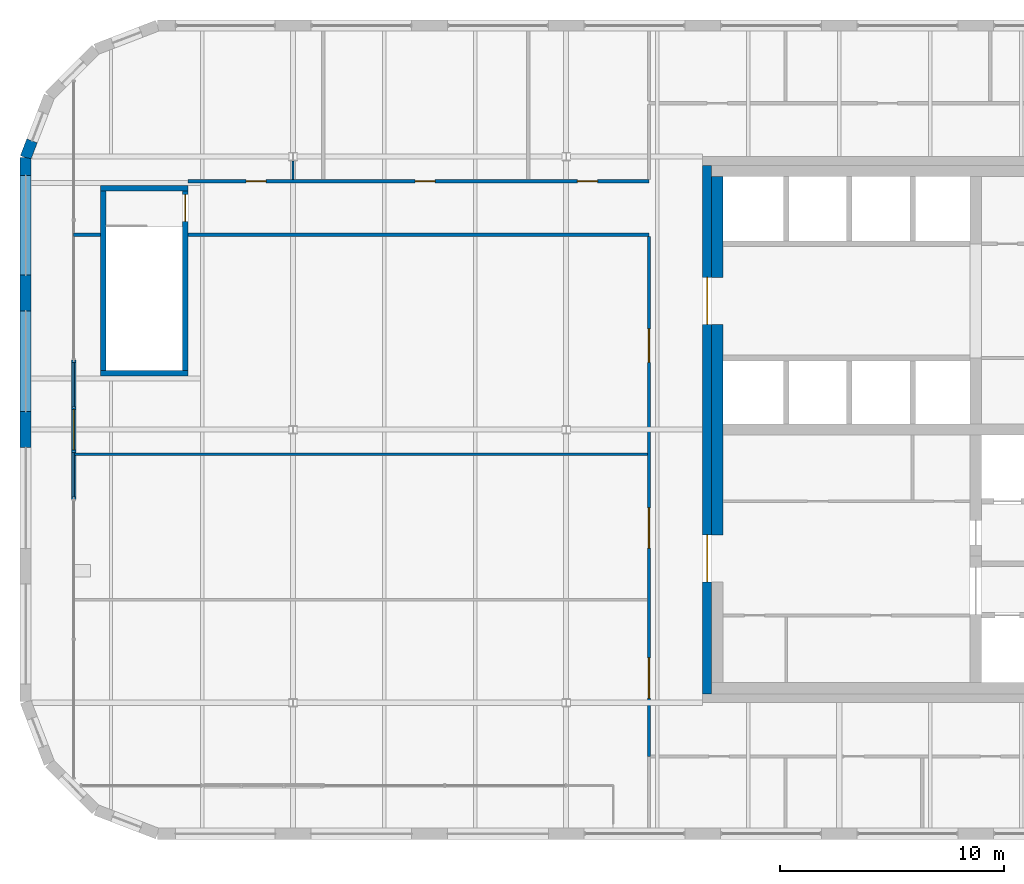
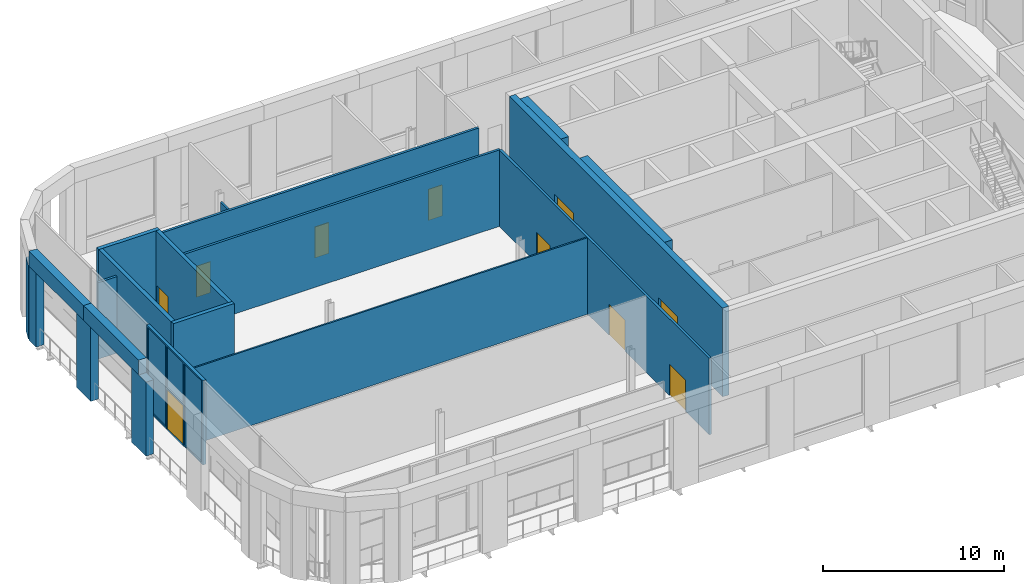
# One storey, part 12 of 19: 20 walls, 10 doors, 3 plates, 13 openings.
"""IFC4 building model written with IfcOpenShell, lengths in metres."""

import ifcopenshell
import ifcopenshell.guid

model = None  # the IFC model being written
_history = None  # IfcOwnerHistory: only IFC2X3 demands one
_inside = {}  # id of a spatial element -> (the spatial element, [elements in it])
_under = {}  # id of a project, library or spatial element -> (it, [spatial elements below it])
_declared = {}  # id of a project -> (the project, [libraries it declares])
_typed = {}  # id of a type object -> (the type object, [elements of that type])
_made_of = {}  # id of a material, layer set ... -> (it, [elements and type objects made of it])


def new_model(schema):
    """Start an empty IFC model of exactly this schema.

    Asked for "IFC4X3", IfcOpenShell would pick the latest addendum, in which some entities
    have other attributes; the version numbers below select the first issue.
    IFC2X3 requires an IfcOwnerHistory on every rooted entity: one is made here for all.
    """
    global model, _history
    if schema == "IFC4X3":
        model = ifcopenshell.file(schema_version=(4, 3, 0, 0))
    else:
        model = ifcopenshell.file(schema=schema)
    _inside.clear()
    _under.clear()
    _declared.clear()
    _typed.clear()
    _made_of.clear()
    _history = None
    if model.schema == "IFC2X3":
        org = make("IfcOrganization", Name="unknown")
        user = make(
            "IfcPersonAndOrganization",
            ThePerson=make("IfcPerson", FamilyName="unknown"),
            TheOrganization=org,
        )
        app = make(
            "IfcApplication",
            ApplicationDeveloper=org,
            Version="unknown",
            ApplicationFullName="unknown",
            ApplicationIdentifier="unknown",
        )
        _history = make(
            "IfcOwnerHistory",
            OwningUser=user,
            OwningApplication=app,
            ChangeAction="ADDED",
            CreationDate=0,
        )
    return model


def make(cls, **values):
    """One entity of the class cls with the attributes given. An attribute that is None is left unset."""
    return model.create_entity(
        cls, **{name: value for name, value in values.items() if value is not None}
    )


def rooted(cls, **values):
    """An entity with a GlobalId (a new one), such as an element, a storey or a relation."""
    return make(cls, GlobalId=ifcopenshell.guid.new(), OwnerHistory=_history, **values)


def si_unit(unit_type, name, prefix=None):
    """IfcSIUnit, for example si_unit("LENGTHUNIT", "METRE", prefix="MILLI")."""
    return make("IfcSIUnit", UnitType=unit_type, Prefix=prefix, Name=name)


def assignment(units):
    """IfcUnitAssignment: the units of a project."""
    return None if units is None else make("IfcUnitAssignment", Units=units)


def point(xyz):
    """IfcCartesianPoint."""
    return None if xyz is None else make("IfcCartesianPoint", Coordinates=xyz)


def direction(xyz):
    """IfcDirection."""
    return None if xyz is None else make("IfcDirection", DirectionRatios=xyz)


def frame(location, z_axis=None, x_axis=None):
    """IfcAxis2Placement3D, a coordinate frame: its origin and axes. An axis left out is left unset."""
    return make(
        "IfcAxis2Placement3D",
        Location=point(location),
        Axis=direction(z_axis),
        RefDirection=direction(x_axis),
    )


def frame_2d(location, x_axis=None):
    """IfcAxis2Placement2D, a coordinate frame in the plane: its origin and x axis."""
    return make(
        "IfcAxis2Placement2D", Location=point(location), RefDirection=direction(x_axis)
    )


def origin():
    """The frame at (0, 0, 0) with its axes left unset."""
    return frame((0.0, 0.0, 0.0))


def place(relative_to, where):
    """IfcLocalPlacement: puts the frame where relative to a parent placement (None: the world)."""
    return make(
        "IfcLocalPlacement", PlacementRelTo=relative_to, RelativePlacement=where
    )


def context(
    kind, dimensions, precision=None, world=None, true_north=None, identifier=None
):
    """IfcGeometricRepresentationContext, for example the 3D "Model" context."""
    return make(
        "IfcGeometricRepresentationContext",
        ContextIdentifier=identifier,
        ContextType=kind,
        CoordinateSpaceDimension=dimensions,
        Precision=precision,
        WorldCoordinateSystem=world,
        TrueNorth=true_north,
    )


def subcontext(parent, identifier, kind, view, scale=None):
    """IfcGeometricRepresentationSubContext, for example "Body" below "Model"."""
    return make(
        "IfcGeometricRepresentationSubContext",
        ContextIdentifier=identifier,
        ContextType=kind,
        ParentContext=parent,
        TargetScale=scale,
        TargetView=view,
    )


def project(units=None, contexts=None):
    """IfcProject with its units and contexts."""
    return rooted(
        "IfcProject",
        Name="project",
        RepresentationContexts=contexts,
        UnitsInContext=assignment(units),
    )


def spatial(cls, under=None, at=None, **own):
    """A site, building, storey or space (cls), placed at a placement, below another one or the project."""
    s = rooted(cls, ObjectPlacement=at, **own)
    if under is not None:
        _under.setdefault(under.id(), (under, []))[1].append(s)
    return s


def polyline(points):
    """IfcPolyline through the points."""
    return make("IfcPolyline", Points=[point(p) for p in points])


def profile(cls, at=None, kind="AREA", **sizes):
    """A parametric profile (cls). Its sizes go by their IFC names, for example OverallWidth=200.0."""
    return make(cls, ProfileType=kind, Position=at, **sizes)


def rectangle(**sizes):
    """IfcRectangleProfileDef."""
    return profile("IfcRectangleProfileDef", **sizes)


def outline(outer, holes=None, kind="AREA"):
    """IfcArbitraryClosedProfileDef: a profile drawn as a closed curve; with holes, ...WithVoids."""
    if holes is None:
        return make("IfcArbitraryClosedProfileDef", ProfileType=kind, OuterCurve=outer)
    return make(
        "IfcArbitraryProfileDefWithVoids",
        ProfileType=kind,
        OuterCurve=outer,
        InnerCurves=holes,
    )


def extrude(swept, where, along, depth):
    """IfcExtrudedAreaSolid: the profile swept, set in the frame where, extruded along a direction by depth."""
    return make(
        "IfcExtrudedAreaSolid",
        SweptArea=swept,
        Position=where,
        ExtrudedDirection=direction(along),
        Depth=depth,
    )


def faces_of(points, faces, orient=None, outer=None):
    """IfcFace entities. A face is a list of loops; a loop is a list of indices into points, from 0.

    orient and outer hold one flag for each loop. By default every Orientation is true, the
    first loop of a face is its IfcFaceOuterBound and the others are IfcFaceBound.
    """
    made = []
    for i, loops in enumerate(faces):
        bounds = []
        for j, loop in enumerate(loops):
            is_outer = j == 0 if outer is None else outer[i][j]
            bounds.append(
                make(
                    "IfcFaceOuterBound" if is_outer else "IfcFaceBound",
                    Bound=make("IfcPolyLoop", Polygon=[points[k] for k in loop]),
                    Orientation=True if orient is None else orient[i][j],
                )
            )
        made.append(make("IfcFace", Bounds=bounds))
    return made


def faceted_brep(points, faces, orient=None, outer=None, voids=None):
    """IfcFacetedBrep: a solid bounded by flat faces; with voids (closed shells), ...WithVoids."""
    shared = [point(p) for p in points]
    hull = make("IfcClosedShell", CfsFaces=faces_of(shared, faces, orient, outer))
    if voids is None:
        return make("IfcFacetedBrep", Outer=hull)
    return make(
        "IfcFacetedBrepWithVoids",
        Outer=hull,
        Voids=[
            make(cls, CfsFaces=faces_of(shared, fs, o, b)) for cls, fs, o, b in voids
        ],
    )


def shape(context_of_items, identifier, shape_type, items):
    """IfcShapeRepresentation: the items that make up one representation, for example the "Body"."""
    return make(
        "IfcShapeRepresentation",
        ContextOfItems=context_of_items,
        RepresentationIdentifier=identifier,
        RepresentationType=shape_type,
        Items=items,
    )


def source(mapping_origin, context_of_items, identifier, shape_type, items):
    """IfcRepresentationMap: a shape defined once, which mapped items show again and again."""
    return make(
        "IfcRepresentationMap",
        MappingOrigin=mapping_origin,
        MappedRepresentation=shape(context_of_items, identifier, shape_type, items),
    )


def transform(
    local_origin,
    x_axis=None,
    y_axis=None,
    z_axis=None,
    scale=None,
    scale2=None,
    scale3=None,
    uniform=True,
):
    """IfcCartesianTransformationOperator3D, or its non-uniform kind. x_axis, y_axis, z_axis: its Axis1, 2, 3."""
    if uniform:
        return make(
            "IfcCartesianTransformationOperator3D",
            Axis1=direction(x_axis),
            Axis2=direction(y_axis),
            LocalOrigin=point(local_origin),
            Scale=scale,
            Axis3=direction(z_axis),
        )
    return make(
        "IfcCartesianTransformationOperator3DnonUniform",
        Axis1=direction(x_axis),
        Axis2=direction(y_axis),
        LocalOrigin=point(local_origin),
        Scale=scale,
        Axis3=direction(z_axis),
        Scale2=scale2,
        Scale3=scale3,
    )


def mapped(mapping_source, mapping_target):
    """IfcMappedItem: shows the shape of a source again, moved by a transform."""
    return make(
        "IfcMappedItem", MappingSource=mapping_source, MappingTarget=mapping_target
    )


def material(Name=None, Category=None):
    """IfcMaterial."""
    return make("IfcMaterial", Name=Name, Category=Category)


def layer(
    of_material, thickness, ventilated=None, Name=None, Category=None, Priority=None
):
    """IfcMaterialLayer: one layer of a wall or slab, of a material (None: an air gap)."""
    return make(
        "IfcMaterialLayer",
        Material=of_material,
        LayerThickness=thickness,
        IsVentilated=ventilated,
        Name=Name,
        Category=Category,
        Priority=Priority,
    )


def layer_set(layers, Name=None):
    """IfcMaterialLayerSet."""
    return make("IfcMaterialLayerSet", MaterialLayers=layers, LayerSetName=Name)


def made_of(thing, what):
    """Note that an element or type object is made of a material, layer set ...; save() writes the relation."""
    if what is not None:
        _made_of.setdefault(what.id(), (what, []))[1].append(thing)
    return thing


def type_object(cls, material=None, **own):
    """A type object (cls), such as IfcWallType, which elements share."""
    return made_of(rooted(cls, **own), material)


def element(
    cls,
    number,
    at=None,
    inside=None,
    cuts=None,
    type_object=None,
    material=None,
    context=None,
    identifier="Body",
    shape_type=None,
    held_by="IfcProductDefinitionShape",
    body=None,
    shapes=None,
    **own,
):
    """One element of the class cls, such as IfcWall. Its Tag is "e" and its number.

    at: its placement. inside: the storey or other place that contains it. cuts: it is an
    opening in that element (IfcRelVoidsElement). A single representation is given by context,
    identifier, shape_type and body (its items); several are given by shapes. held_by: the class
    of the entity that holds the representations. save() writes the other relations.
    """
    e = rooted(cls, Tag="e%d" % number, ObjectPlacement=at, **own)
    if body is not None:
        shapes = [shape(context, identifier, shape_type, body)]
    if shapes is not None:
        e.Representation = make(held_by, Representations=shapes)
    if inside is not None:
        _inside.setdefault(inside.id(), (inside, []))[1].append(e)
    if cuts is not None:
        rooted(
            "IfcRelVoidsElement", RelatingBuildingElement=cuts, RelatedOpeningElement=e
        )
    if type_object is not None:
        _typed.setdefault(type_object.id(), (type_object, []))[1].append(e)
    return made_of(e, material)


def fill(opening, filler):
    """IfcRelFillsElement: the door or window that sits in an opening."""
    return rooted(
        "IfcRelFillsElement",
        RelatingOpeningElement=opening,
        RelatedBuildingElement=filler,
    )


def aggregate(whole, parts):
    """IfcRelAggregates: a whole, such as a stair, and the parts it consists of."""
    return rooted("IfcRelAggregates", RelatingObject=whole, RelatedObjects=parts)


def save(model, path):
    """Write the relations noted so far, then the file.

    IfcRelAggregates (storeys below a building ...), IfcRelContainedInSpatialStructure (elements
    in a storey), IfcRelDefinesByType, IfcRelAssociatesMaterial and IfcRelDeclares: one each for
    every whole, place, type object, material and project.
    """
    for whole, parts in _under.values():
        aggregate(whole, parts)
    for where, things in _inside.values():
        rooted(
            "IfcRelContainedInSpatialStructure",
            RelatedElements=things,
            RelatingStructure=where,
        )
    for kind, things in _typed.values():
        rooted("IfcRelDefinesByType", RelatedObjects=things, RelatingType=kind)
    for what, things in _made_of.values():
        rooted("IfcRelAssociatesMaterial", RelatedObjects=things, RelatingMaterial=what)
    for by, libraries in _declared.values():
        rooted("IfcRelDeclares", RelatingContext=by, RelatedDefinitions=libraries)
    model.write(path)


model = new_model("IFC4")

# Units and contexts
model_context = context("Model", 3, precision=1e-05, world=origin(), true_north=direction((0.0, 1.0)))
body_context = subcontext(model_context, "Body", "Model", "MODEL_VIEW")
ifc_project = project(units=[si_unit("LENGTHUNIT", "METRE"), si_unit("AREAUNIT", "SQUARE_METRE"), si_unit("VOLUMEUNIT", "CUBIC_METRE"), si_unit("PLANEANGLEUNIT", "RADIAN"), si_unit("MASSUNIT", "GRAM", prefix="KILO")], contexts=[model_context])

# Site, building, storey
site_placement = place(None, origin())
site = spatial("IfcSite", under=ifc_project, at=site_placement, CompositionType="ELEMENT")
building_placement = place(site_placement, origin())
building = spatial("IfcBuilding", under=site, at=building_placement, Name="Tessera Gate Towers", CompositionType="ELEMENT")
storey_placement = place(building_placement, frame((0.0, 0.0, 259.699951171875)))
storey = spatial("IfcBuildingStorey", under=building, at=storey_placement, Name="L65", CompositionType="ELEMENT", Elevation=259.699951171875)

# Walls
ifc_material_1 = material(Name="Concrete C40/50", Category="concrete")
ifc_layer_1 = layer(ifc_material_1, 0.25)
ifc_layer_set_1 = layer_set([ifc_layer_1], Name="CORE ENCLOSURE WALL 250")
wall_type_1 = type_object("IfcWallType", Name="CORE ENCLOSURE WALL 250", PredefinedType="SOLIDWALL", material=ifc_layer_set_1)
wall_1_placement = place(storey_placement, frame((7.5, 39.125, 0.0), z_axis=(0.0, 0.0, 1.0), x_axis=(-1.0, 0.0, 0.0)))
element("IfcWall", 1, at=wall_1_placement, inside=storey, type_object=wall_type_1, Name="L65 ST3 enclosure wall", PredefinedType="SOLIDWALL", context=body_context, shape_type="SweptSolid", body=[
    extrude(rectangle(XDim=3.89990234375, YDim=0.25, at=frame_2d((1.949951171875, 0.0))), origin(), (0.0, 0.0, 1.0), 5.75),
])
wall_2_placement = place(storey_placement, frame((3.72509765625, 39.25, 0.0), z_axis=(0.0, 0.0, 1.0), x_axis=(0.0, 1.0, 0.0)))
element("IfcWall", 2, at=wall_2_placement, inside=storey, type_object=wall_type_1, Name="L65 ST3 enclosure wall", PredefinedType="SOLIDWALL", context=body_context, shape_type="SweptSolid", body=[
    extrude(rectangle(XDim=8.0, YDim=0.25, at=frame_2d((4.0, 0.0))), origin(), (0.0, 0.0, 1.0), 5.75),
])
wall_3_placement = place(storey_placement, frame((3.60009765625, 47.375, 0.0), z_axis=(0.0, 0.0, 1.0), x_axis=(1.0, 0.0, 0.0)))
element("IfcWall", 3, at=wall_3_placement, inside=storey, type_object=wall_type_1, Name="L65 ST3 enclosure wall", PredefinedType="SOLIDWALL", context=body_context, shape_type="SweptSolid", body=[
    extrude(rectangle(XDim=3.89990234375, YDim=0.25, at=frame_2d((1.949951171875, 0.0))), origin(), (0.0, 0.0, 1.0), 5.75),
])

# Wall, opening, door
wall_4_placement = place(storey_placement, frame((7.375, 47.25, 0.0), z_axis=(0.0, 0.0, 1.0), x_axis=(0.0, -1.0, 0.0)))
wall_4 = element("IfcWall", 4, at=wall_4_placement, inside=storey, type_object=wall_type_1, Name="L65 ST3 enclosure wall", PredefinedType="SOLIDWALL", context=body_context, shape_type="SweptSolid", body=[
    extrude(rectangle(XDim=8.0, YDim=0.25, at=frame_2d((4.0, 0.0))), origin(), (0.0, 0.0, 1.0), 5.75),
])
shared_shape_1 = source(origin(), body_context, "Body", "SweptSolid", [
    extrude(rectangle(XDim=1.199951171875, YDim=2.10009765625, at=frame_2d((0.60009765625, 1.050048828125))), frame((0.0, 0.135009765625, 0.0), z_axis=(0.0, -1.0, 0.0), x_axis=(1.0, 0.0, 0.0)), (0.0, 0.0, 1.0), 0.27001953125),
])
opening_1_placement = place(wall_4_placement, frame((0.14990234375, 0.0, 0.0)))
opening_1 = element("IfcOpeningElement", 5, at=opening_1_placement, cuts=wall_4, Name="Opening SD-ST3-1", PredefinedType="OPENING", context=body_context, shape_type="MappedRepresentation", body=[
    mapped(shared_shape_1, transform((0.0, 0.0, 0.0), scale=1.0)),
])
ifc_material_2 = material(Name="Hollow steel fire door", Category="steel")
door_type_1 = type_object("IfcDoorType", Name="CORE DOOR SD 1200x2100", OperationType="NOTDEFINED", PredefinedType="DOOR", material=ifc_material_2)
shared_shape_2 = source(origin(), body_context, "Body", "SweptSolid", [
    extrude(rectangle(XDim=1.199951171875, YDim=2.10009765625, at=frame_2d((0.60009765625, 1.050048828125))), frame((0.0, 0.02490234375, 0.0), z_axis=(0.0, -1.0, 0.0), x_axis=(1.0, 0.0, 0.0)), (0.0, 0.0, 1.0), 0.050048828125),
])
door_1_placement = place(opening_1_placement, origin())
door_1 = element("IfcDoor", 6, at=door_1_placement, inside=storey, type_object=door_type_1, Name="Stair door", OperationType="SINGLE_SWING_LEFT", OverallHeight=2.10009765625, OverallWidth=1.199951171875, PredefinedType="DOOR", context=body_context, shape_type="MappedRepresentation", body=[
    mapped(shared_shape_2, transform((0.0, 0.0, 0.0), scale=1.0)),
])
fill(opening_1, door_1)

# Wall, openings, doors
ifc_material_3 = material(Name="Concrete C40/50", Category="concrete")
ifc_layer_2 = layer(ifc_material_3, 0.39990234375)
ifc_layer_set_2 = layer_set([ifc_layer_2], Name="CORE SHEAR WALL 400 C40/50")
wall_type_2 = type_object("IfcWallType", Name="CORE SHEAR WALL 400 C40/50", PredefinedType="SHEAR", material=ifc_layer_set_2)
wall_5_placement = place(storey_placement, frame((30.699951171875, 24.800048828125, 0.0), z_axis=(0.0, 0.0, 1.0), x_axis=(0.0, 1.0, 0.0)))
wall_5 = element("IfcWall", 7, at=wall_5_placement, inside=storey, type_object=wall_type_2, Name="Core wall W L65", PredefinedType="SHEAR", context=body_context, shape_type="SweptSolid", body=[
    extrude(rectangle(XDim=23.599853515625, YDim=0.39990234375, at=frame_2d((11.7998046875, 0.0))), origin(), (0.0, 0.0, 1.0), 6.0),
])
shared_shape_3 = source(origin(), body_context, "Body", "SweptSolid", [
    extrude(rectangle(XDim=2.10009765625, YDim=2.39990234375, at=frame_2d((1.050048828125, 1.199951171875))), frame((0.0, 0.2099609375, 0.0), z_axis=(0.0, -1.0, 0.0), x_axis=(1.0, 0.0, 0.0)), (0.0, 0.0, 1.0), 0.419921875),
])
opening_2_placement = place(wall_5_placement, frame((5.0, 0.0, 0.0)))
opening_2 = element("IfcOpeningElement", 8, at=opening_2_placement, cuts=wall_5, Name="Opening DD-T1-39-02", PredefinedType="OPENING", context=body_context, shape_type="MappedRepresentation", body=[
    mapped(shared_shape_3, transform((0.0, 0.0, 0.0), scale=1.0)),
])
opening_3_placement = place(wall_5_placement, frame((16.5, 0.0, 0.0)))
opening_3 = element("IfcOpeningElement", 9, at=opening_3_placement, cuts=wall_5, Name="Opening DD-T1-39-03", PredefinedType="OPENING", context=body_context, shape_type="MappedRepresentation", body=[
    mapped(shared_shape_3, transform((0.0, 0.0, 0.0), scale=1.0)),
])
ifc_material_4 = material(Name="Hollow steel fire door", Category="steel")
door_type_2 = type_object("IfcDoorType", Name="CORE DOOR DD 2100x2400", OperationType="NOTDEFINED", PredefinedType="DOOR", material=ifc_material_4)
shared_shape_4 = source(origin(), body_context, "Body", "SweptSolid", [
    extrude(rectangle(XDim=2.10009765625, YDim=2.39990234375, at=frame_2d((1.050048828125, 1.199951171875))), frame((0.0, 0.02490234375, 0.0), z_axis=(0.0, -1.0, 0.0), x_axis=(1.0, 0.0, 0.0)), (0.0, 0.0, 1.0), 0.050048828125),
])
door_2_placement = place(opening_2_placement, origin())
door_2 = element("IfcDoor", 10, at=door_2_placement, inside=storey, type_object=door_type_2, Name="Core entrance door", OperationType="DOUBLE_DOOR_SINGLE_SWING", OverallHeight=2.39990234375, OverallWidth=2.10009765625, PredefinedType="DOOR", context=body_context, shape_type="MappedRepresentation", body=[
    mapped(shared_shape_4, transform((0.0, 0.0, 0.0), scale=1.0)),
])
fill(opening_2, door_2)
door_3_placement = place(opening_3_placement, origin())
door_3 = element("IfcDoor", 11, at=door_3_placement, inside=storey, type_object=door_type_2, Name="Core entrance door", OperationType="DOUBLE_DOOR_SINGLE_SWING", OverallHeight=2.39990234375, OverallWidth=2.10009765625, PredefinedType="DOOR", context=body_context, shape_type="MappedRepresentation", body=[
    mapped(shared_shape_4, transform((0.0, 0.0, 0.0), scale=1.0)),
])
fill(opening_3, door_3)

# Walls
ifc_material_5 = material(Name="Concrete C40/50", Category="concrete")
ifc_layer_3 = layer(ifc_material_5, 0.5)
ifc_layer_set_3 = layer_set([ifc_layer_3], Name="CORE WALL THICKENING 500")
wall_type_3 = type_object("IfcWallType", Name="CORE WALL THICKENING 500", PredefinedType="SOLIDWALL", material=ifc_layer_set_3)
wall_6_placement = place(storey_placement, frame((31.14990234375, 31.89990234375, 0.0), z_axis=(0.0, 0.0, 1.0), x_axis=(0.0, 1.0, 0.0)))
element("IfcWall", 12, at=wall_6_placement, inside=storey, type_object=wall_type_3, Name="Core wall thickening W L65", PredefinedType="SOLIDWALL", context=body_context, shape_type="SweptSolid", body=[
    extrude(rectangle(XDim=9.400146484375, YDim=0.5, at=frame_2d((4.7001953125, 0.0))), origin(), (0.0, 0.0, 1.0), 6.0),
])
wall_7_placement = place(storey_placement, frame((31.14990234375, 43.39990234375, 0.0), z_axis=(0.0, 0.0, 1.0), x_axis=(0.0, 1.0, 0.0)))
element("IfcWall", 13, at=wall_7_placement, inside=storey, type_object=wall_type_3, Name="Core wall thickening W L65", PredefinedType="SOLIDWALL", context=body_context, shape_type="SweptSolid", body=[
    extrude(rectangle(XDim=4.5, YDim=0.5, at=frame_2d((2.25, 0.0))), origin(), (0.0, 0.0, 1.0), 6.0),
])

# Wall, openings, doors
ifc_material_6 = material(Name="Gypsum board on steel studs, mineral wool", Category="steel")
ifc_layer_4 = layer(ifc_material_6, 0.14990234375)
ifc_layer_set_4 = layer_set([ifc_layer_4], Name="CORRIDOR WALL 150")
wall_type_4 = type_object("IfcWallType", Name="CORRIDOR WALL 150", PredefinedType="PARTITIONING", material=ifc_layer_set_4)
wall_8_placement = place(storey_placement, frame((28.10009765625, 22.0, 0.0), z_axis=(0.0, 0.0, 1.0), x_axis=(0.0, 1.0, 0.0)))
wall_8 = element("IfcWall", 14, at=wall_8_placement, inside=storey, type_object=wall_type_4, Name="T1-L65-PW-006", PredefinedType="PARTITIONING", context=body_context, shape_type="SweptSolid", body=[
    extrude(rectangle(XDim=23.22412109375, YDim=0.14990234375, at=frame_2d((11.612060546875, 0.0))), origin(), (0.0, 0.0, 1.0), 5.1669921875),
])
shared_shape_5 = source(origin(), body_context, "Body", "SweptSolid", [
    extrude(rectangle(XDim=1.800048828125, YDim=2.10009765625, at=frame_2d((0.89990234375, 1.050048828125))), frame((0.0, 0.0849609375, 0.0), z_axis=(0.0, -1.0, 0.0), x_axis=(1.0, 0.0, 0.0)), (0.0, 0.0, 1.0), 0.169921875),
])
opening_4_placement = place(wall_8_placement, frame((9.301025390625, 0.0, 0.0)))
opening_4 = element("IfcOpeningElement", 15, at=opening_4_placement, cuts=wall_8, Name="Opening D2180FD60-A34-01", PredefinedType="OPENING", context=body_context, shape_type="MappedRepresentation", body=[
    mapped(shared_shape_5, transform((0.0, 0.0, 0.0), scale=1.0)),
])
opening_5_placement = place(wall_8_placement, frame((2.60009765625, 0.0, 0.0)))
opening_5 = element("IfcOpeningElement", 16, at=opening_5_placement, cuts=wall_8, Name="Opening D2180FD60-A34-02", PredefinedType="OPENING", context=body_context, shape_type="MappedRepresentation", body=[
    mapped(shared_shape_5, transform((0.0, 0.0, 0.0), scale=1.0)),
])
shared_shape_6 = source(origin(), body_context, "Body", "SweptSolid", [
    extrude(rectangle(XDim=1.5, YDim=2.10009765625, at=frame_2d((0.75, 1.050048828125))), frame((0.0, 0.0849609375, 0.0), z_axis=(0.0, -1.0, 0.0), x_axis=(1.0, 0.0, 0.0)), (0.0, 0.0, 1.0), 0.169921875),
])
opening_6_placement = place(wall_8_placement, frame((17.60009765625, 0.0, 0.0)))
opening_6 = element("IfcOpeningElement", 17, at=opening_6_placement, cuts=wall_8, Name="Opening D2150FD60-A34-01", PredefinedType="OPENING", context=body_context, shape_type="MappedRepresentation", body=[
    mapped(shared_shape_6, transform((0.0, 0.0, 0.0), scale=1.0)),
])
ifc_material_7 = material(Name="Timber door leaf in steel frame", Category="steel")
door_type_3 = type_object("IfcDoorType", Name="TENANCY ENTRANCE DOOR 1500 FD60", OperationType="NOTDEFINED", PredefinedType="DOOR", material=ifc_material_7)
shared_shape_7 = source(origin(), body_context, "Body", "SweptSolid", [
    extrude(rectangle(XDim=1.5, YDim=2.10009765625, at=frame_2d((0.75, 1.050048828125))), frame((0.0, 0.02490234375, 0.0), z_axis=(0.0, -1.0, 0.0), x_axis=(1.0, 0.0, 0.0)), (0.0, 0.0, 1.0), 0.050048828125),
])
door_4_placement = place(opening_6_placement, origin())
door_4 = element("IfcDoor", 18, at=door_4_placement, inside=storey, type_object=door_type_3, Name="T1-L65-PD-015", OperationType="SINGLE_SWING_LEFT", OverallHeight=2.10009765625, OverallWidth=1.5, PredefinedType="DOOR", context=body_context, shape_type="MappedRepresentation", body=[
    mapped(shared_shape_7, transform((0.0, 0.0, 0.0), scale=1.0)),
])
fill(opening_6, door_4)
ifc_material_8 = material(Name="Timber door leaf in steel frame", Category="steel")
door_type_4 = type_object("IfcDoorType", Name="TENANCY ENTRANCE DOUBLE DOOR 1800 FD60", OperationType="NOTDEFINED", PredefinedType="DOOR", material=ifc_material_8)
shared_shape_8 = source(origin(), body_context, "Body", "SweptSolid", [
    extrude(rectangle(XDim=1.800048828125, YDim=2.10009765625, at=frame_2d((0.89990234375, 1.050048828125))), frame((0.0, 0.02490234375, 0.0), z_axis=(0.0, -1.0, 0.0), x_axis=(1.0, 0.0, 0.0)), (0.0, 0.0, 1.0), 0.050048828125),
])
door_5_placement = place(opening_4_placement, origin())
door_5 = element("IfcDoor", 19, at=door_5_placement, inside=storey, type_object=door_type_4, Name="T1-L65-PD-010", OperationType="DOUBLE_DOOR_SINGLE_SWING", OverallHeight=2.10009765625, OverallWidth=1.800048828125, PredefinedType="DOOR", context=body_context, shape_type="MappedRepresentation", body=[
    mapped(shared_shape_8, transform((0.0, 0.0, 0.0), scale=1.0)),
])
fill(opening_4, door_5)
door_6_placement = place(opening_5_placement, origin())
door_6 = element("IfcDoor", 20, at=door_6_placement, inside=storey, type_object=door_type_4, Name="T1-L65-PD-011", OperationType="DOUBLE_DOOR_SINGLE_SWING", OverallHeight=2.10009765625, OverallWidth=1.800048828125, PredefinedType="DOOR", context=body_context, shape_type="MappedRepresentation", body=[
    mapped(shared_shape_8, transform((0.0, 0.0, 0.0), scale=1.0)),
])
fill(opening_5, door_6)

# Wall
wall_9_placement = place(storey_placement, frame((7.5, 45.300048828125, 0.0), z_axis=(0.0, 0.0, 1.0), x_axis=(1.0, 0.0, 0.0)))
element("IfcWall", 21, at=wall_9_placement, inside=storey, type_object=wall_type_4, Name="T1-L65-PW-013", PredefinedType="PARTITIONING", context=body_context, shape_type="SweptSolid", body=[
    extrude(rectangle(XDim=20.60009765625, YDim=0.14990234375, at=frame_2d((10.300048828125, 0.0))), origin(), (0.0, 0.0, 1.0), 5.1669921875),
])

# Wall, openings, doors
wall_10_placement = place(storey_placement, frame((7.5, 47.699951171875, 0.0), z_axis=(0.0, 0.0, 1.0), x_axis=(1.0, 0.0, 0.0)))
wall_10 = element("IfcWall", 22, at=wall_10_placement, inside=storey, type_object=wall_type_4, Name="T1-L65-PW-014", PredefinedType="PARTITIONING", context=body_context, shape_type="SweptSolid", body=[
    extrude(rectangle(XDim=20.60009765625, YDim=0.14990234375, at=frame_2d((10.300048828125, 0.0))), origin(), (0.0, 0.0, 1.0), 5.1669921875),
])
shared_shape_9 = source(origin(), body_context, "Body", "SweptSolid", [
    extrude(rectangle(XDim=0.89990234375, YDim=2.10009765625, at=frame_2d((0.449951171875, 1.050048828125))), frame((0.0, 0.0849609375, 0.0), z_axis=(0.0, -1.0, 0.0), x_axis=(1.0, 0.0, 0.0)), (0.0, 0.0, 1.0), 0.169921875),
])
opening_7_placement = place(wall_10_placement, frame((17.40087890625, 0.0, 0.0)))
opening_7 = element("IfcOpeningElement", 23, at=opening_7_placement, cuts=wall_10, Name="Opening D890FD60-A34-02", PredefinedType="OPENING", context=body_context, shape_type="MappedRepresentation", body=[
    mapped(shared_shape_9, transform((0.0, 0.0, 0.0), scale=1.0)),
])
opening_8_placement = place(wall_10_placement, frame((2.60009765625, 0.0, 0.0)))
opening_8 = element("IfcOpeningElement", 24, at=opening_8_placement, cuts=wall_10, Name="Opening D890FD60-A34-04", PredefinedType="OPENING", context=body_context, shape_type="MappedRepresentation", body=[
    mapped(shared_shape_9, transform((0.0, 0.0, 0.0), scale=1.0)),
])
opening_9_placement = place(wall_10_placement, frame((10.14990234375, 0.0, 0.0)))
opening_9 = element("IfcOpeningElement", 25, at=opening_9_placement, cuts=wall_10, Name="Opening D890FD60-A34-11", PredefinedType="OPENING", context=body_context, shape_type="MappedRepresentation", body=[
    mapped(shared_shape_9, transform((0.0, 0.0, 0.0), scale=1.0)),
])
ifc_material_9 = material(Name="Timber door leaf in steel frame", Category="steel")
door_type_5 = type_object("IfcDoorType", Name="CORRIDOR DOOR 900 FD60", OperationType="NOTDEFINED", PredefinedType="DOOR", material=ifc_material_9)
shared_shape_10 = source(origin(), body_context, "Body", "SweptSolid", [
    extrude(rectangle(XDim=0.89990234375, YDim=2.10009765625, at=frame_2d((0.449951171875, 1.050048828125))), frame((0.0, 0.02490234375, 0.0), z_axis=(0.0, -1.0, 0.0), x_axis=(1.0, 0.0, 0.0)), (0.0, 0.0, 1.0), 0.050048828125),
])
door_7_placement = place(opening_7_placement, origin())
door_7 = element("IfcDoor", 26, at=door_7_placement, inside=storey, type_object=door_type_5, Name="T1-L65-PD-002", OperationType="SINGLE_SWING_LEFT", OverallHeight=2.10009765625, OverallWidth=0.89990234375, PredefinedType="DOOR", context=body_context, shape_type="MappedRepresentation", body=[
    mapped(shared_shape_10, transform((0.0, 0.0, 0.0), scale=1.0)),
])
fill(opening_7, door_7)
door_8_placement = place(opening_8_placement, origin())
door_8 = element("IfcDoor", 27, at=door_8_placement, inside=storey, type_object=door_type_5, Name="T1-L65-PD-004", OperationType="SINGLE_SWING_LEFT", OverallHeight=2.10009765625, OverallWidth=0.89990234375, PredefinedType="DOOR", context=body_context, shape_type="MappedRepresentation", body=[
    mapped(shared_shape_10, transform((0.0, 0.0, 0.0), scale=1.0)),
])
fill(opening_8, door_8)
door_9_placement = place(opening_9_placement, origin())
door_9 = element("IfcDoor", 28, at=door_9_placement, inside=storey, type_object=door_type_5, Name="T1-L65-PD-013", OperationType="SINGLE_SWING_LEFT", OverallHeight=2.10009765625, OverallWidth=0.89990234375, PredefinedType="DOOR", context=body_context, shape_type="MappedRepresentation", body=[
    mapped(shared_shape_10, transform((0.0, 0.0, 0.0), scale=1.0)),
])
fill(opening_9, door_9)

# Walls
ifc_material_10 = material(Name="Gypsum board on steel studs", Category="steel")
ifc_layer_5 = layer(ifc_material_10, 0.10009765625)
ifc_layer_set_5 = layer_set([ifc_layer_5], Name="PARTITION 100")
wall_type_5 = type_object("IfcWallType", Name="PARTITION 100", PredefinedType="PARTITIONING", material=ifc_layer_set_5)
wall_11_placement = place(storey_placement, frame((2.39990234375, 35.5, 0.0), z_axis=(0.0, 0.0, 1.0), x_axis=(1.0, 0.0, 0.0)))
element("IfcWall", 29, at=wall_11_placement, inside=storey, type_object=wall_type_5, Name="T1-L65-PW-011", PredefinedType="PARTITIONING", context=body_context, shape_type="SweptSolid", body=[
    extrude(rectangle(XDim=25.6240234375, YDim=0.10009765625, at=frame_2d((12.81201171875, 0.0))), origin(), (0.0, 0.0, 1.0), 5.1669921875),
])
wall_12_placement = place(storey_placement, frame((12.199951171875, 48.60009765625, 0.0), z_axis=(0.0, 0.0, 1.0), x_axis=(0.0, -1.0, 0.0)))
element("IfcWall", 30, at=wall_12_placement, inside=storey, type_object=wall_type_5, Name="T1-L65-PW-018", PredefinedType="PARTITIONING", context=body_context, shape_type="SweptSolid", body=[
    extrude(rectangle(XDim=0.8251953125, YDim=0.10009765625, at=frame_2d((0.41259765625, 0.0))), origin(), (0.0, 0.0, 1.0), 5.1669921875),
])
ifc_material_11 = material(Name="Gypsum board on steel studs, mineral wool", Category="steel")
ifc_layer_6 = layer(ifc_material_11, 0.14990234375)
ifc_layer_set_6 = layer_set([ifc_layer_6], Name="TENANCY WALL 150")
wall_type_6 = type_object("IfcWallType", Name="TENANCY WALL 150", PredefinedType="PARTITIONING", material=ifc_layer_set_6)
wall_13_placement = place(storey_placement, frame((2.39990234375, 45.300048828125, 0.0), z_axis=(0.0, 0.0, 1.0), x_axis=(1.0, 0.0, 0.0)))
element("IfcWall", 31, at=wall_13_placement, inside=storey, type_object=wall_type_6, Name="T1-L65-PW-012", PredefinedType="PARTITIONING", context=body_context, shape_type="SweptSolid", body=[
    extrude(rectangle(XDim=1.2001953125, YDim=0.14990234375, at=frame_2d((0.60009765625, 0.0))), origin(), (0.0, 0.0, 1.0), 5.1669921875),
])

# Wall, openings, plates, door
ifc_material_12 = material(Name="Aluminium storefront glazing", Category="aluminium")
ifc_layer_7 = layer(ifc_material_12, 0.199951171875)
ifc_layer_set_7 = layer_set([ifc_layer_7], Name="WS2 storefront bay wall")
wall_type_7 = type_object("IfcWallType", Name="WS2 storefront bay wall", PredefinedType="PARTITIONING", material=ifc_layer_set_7)
wall_14_placement = place(storey_placement, frame((2.39990234375, 33.47998046875, 0.0), z_axis=(0.0, 0.0, 1.0), x_axis=(0.0, 1.0, 0.0)))
wall_14 = element("IfcWall", 32, at=wall_14_placement, inside=storey, type_object=wall_type_7, Name="Storefront bay wall T1 WS2-0001", PredefinedType="PARTITIONING", context=body_context, shape_type="SweptSolid", body=[
    extrude(rectangle(XDim=6.239990234375, YDim=0.199951171875, at=frame_2d((3.1201171875, 0.0))), origin(), (0.0, 0.0, 1.0), 5.699951171875),
])
shared_shape_11 = source(origin(), body_context, "Body", "SweptSolid", [
    extrude(rectangle(XDim=1.800048828125, YDim=2.699951171875, at=frame_2d((0.89990234375, 1.35009765625))), frame((0.0, 0.10986328125, 0.0), z_axis=(0.0, -1.0, 0.0), x_axis=(1.0, 0.0, 0.0)), (0.0, 0.0, 1.0), 0.219970703125),
])
opening_10_placement = place(wall_14_placement, frame((2.219970703125, 0.0, 0.0)))
opening_10 = element("IfcOpeningElement", 33, at=opening_10_placement, cuts=wall_14, Name="Opening D-E106", PredefinedType="OPENING", context=body_context, shape_type="MappedRepresentation", body=[
    mapped(shared_shape_11, transform((0.0, 0.0, 0.0), scale=1.0)),
])
shared_shape_12 = source(origin(), body_context, "Body", "SweptSolid", [
    extrude(outline(polyline([(0.1201171875, 0.10009765625), (2.10009765625, 0.10009765625), (2.10009765625, 5.60009765625), (0.1201171875, 5.60009765625), (0.1201171875, 0.10009765625)])), frame((0.0, 0.10986328125, 0.0), z_axis=(0.0, -1.0, 0.0), x_axis=(1.0, 0.0, 0.0)), (0.0, 0.0, 1.0), 0.219970703125),
])
opening_11_placement = place(wall_14_placement, origin())
opening_11 = element("IfcOpeningElement", 34, at=opening_11_placement, cuts=wall_14, Name="Opening T1-PL3-0018", PredefinedType="OPENING", context=body_context, shape_type="MappedRepresentation", body=[
    mapped(shared_shape_12, transform((0.0, 0.0, 0.0), scale=1.0)),
])
shared_shape_13 = source(origin(), body_context, "Body", "SweptSolid", [
    extrude(outline(polyline([(4.139892578125, 0.10009765625), (6.1201171875, 0.10009765625), (6.1201171875, 5.60009765625), (4.139892578125, 5.60009765625), (4.139892578125, 0.10009765625)])), frame((0.0, 0.10986328125, 0.0), z_axis=(0.0, -1.0, 0.0), x_axis=(1.0, 0.0, 0.0)), (0.0, 0.0, 1.0), 0.219970703125),
])
opening_12_placement = place(wall_14_placement, origin())
opening_12 = element("IfcOpeningElement", 35, at=opening_12_placement, cuts=wall_14, Name="Opening T1-PL3-0019", PredefinedType="OPENING", context=body_context, shape_type="MappedRepresentation", body=[
    mapped(shared_shape_13, transform((0.0, 0.0, 0.0), scale=1.0)),
])
shared_shape_14 = source(origin(), body_context, "Body", "SweptSolid", [
    extrude(outline(polyline([(2.219970703125, 2.820068359375), (4.02001953125, 2.820068359375), (4.02001953125, 5.60009765625), (2.219970703125, 5.60009765625), (2.219970703125, 2.820068359375)])), frame((0.0, 0.10986328125, 0.0), z_axis=(0.0, -1.0, 0.0), x_axis=(1.0, 0.0, 0.0)), (0.0, 0.0, 1.0), 0.219970703125),
])
opening_13_placement = place(wall_14_placement, origin())
opening_13 = element("IfcOpeningElement", 36, at=opening_13_placement, cuts=wall_14, Name="Opening T1-PL3-0020", PredefinedType="OPENING", context=body_context, shape_type="MappedRepresentation", body=[
    mapped(shared_shape_14, transform((0.0, 0.0, 0.0), scale=1.0)),
])
ifc_material_13 = material(Name="Low-e laminated glass", Category="glass")
ifc_layer_8 = layer(ifc_material_13, 0.06005859375)
ifc_layer_set_8 = layer_set([ifc_layer_8], Name="PL3 storefront pane")
plate_type = type_object("IfcPlateType", Name="PL3 storefront pane", PredefinedType="SHEET", material=ifc_layer_set_8)
shared_shape_15 = source(origin(), body_context, "Body", "SweptSolid", [
    extrude(outline(polyline([(0.1201171875, 0.10009765625), (2.10009765625, 0.10009765625), (2.10009765625, 5.60009765625), (0.1201171875, 5.60009765625), (0.1201171875, 0.10009765625)])), frame((0.0, 0.030029296875, 0.0), z_axis=(0.0, -1.0, 0.0), x_axis=(1.0, 0.0, 0.0)), (0.0, 0.0, 1.0), 0.06005859375),
])
plate_1_placement = place(opening_11_placement, origin())
plate_1 = element("IfcPlate", 37, at=plate_1_placement, inside=storey, type_object=plate_type, Name="Glass pane T1 PL3-0018", PredefinedType="SHEET", context=body_context, shape_type="MappedRepresentation", body=[
    mapped(shared_shape_15, transform((0.0, 0.0, 0.0), scale=1.0)),
])
fill(opening_11, plate_1)
shared_shape_16 = source(origin(), body_context, "Body", "SweptSolid", [
    extrude(outline(polyline([(4.139892578125, 0.10009765625), (6.1201171875, 0.10009765625), (6.1201171875, 5.60009765625), (4.139892578125, 5.60009765625), (4.139892578125, 0.10009765625)])), frame((0.0, 0.030029296875, 0.0), z_axis=(0.0, -1.0, 0.0), x_axis=(1.0, 0.0, 0.0)), (0.0, 0.0, 1.0), 0.06005859375),
])
plate_2_placement = place(opening_12_placement, origin())
plate_2 = element("IfcPlate", 38, at=plate_2_placement, inside=storey, type_object=plate_type, Name="Glass pane T1 PL3-0019", PredefinedType="SHEET", context=body_context, shape_type="MappedRepresentation", body=[
    mapped(shared_shape_16, transform((0.0, 0.0, 0.0), scale=1.0)),
])
fill(opening_12, plate_2)
shared_shape_17 = source(origin(), body_context, "Body", "SweptSolid", [
    extrude(outline(polyline([(2.219970703125, 2.820068359375), (4.02001953125, 2.820068359375), (4.02001953125, 5.60009765625), (2.219970703125, 5.60009765625), (2.219970703125, 2.820068359375)])), frame((0.0, 0.030029296875, 0.0), z_axis=(0.0, -1.0, 0.0), x_axis=(1.0, 0.0, 0.0)), (0.0, 0.0, 1.0), 0.06005859375),
])
plate_3_placement = place(opening_13_placement, origin())
plate_3 = element("IfcPlate", 39, at=plate_3_placement, inside=storey, type_object=plate_type, Name="Glass pane T1 PL3-0020", PredefinedType="SHEET", context=body_context, shape_type="MappedRepresentation", body=[
    mapped(shared_shape_17, transform((0.0, 0.0, 0.0), scale=1.0)),
])
fill(opening_13, plate_3)
ifc_material_14 = material(Name="Aluminium storefront glazing", Category="aluminium")
ifc_layer_9 = layer(ifc_material_14, 0.050048828125)
ifc_layer_set_9 = layer_set([ifc_layer_9], Name="DL4 deck door")
door_type_6 = type_object("IfcDoorType", Name="DL4 deck door", OperationType="DOUBLE_DOOR_SINGLE_SWING", PredefinedType="DOOR", material=ifc_layer_set_9)
shared_shape_18 = source(origin(), body_context, "Body", "SweptSolid", [
    extrude(rectangle(XDim=1.800048828125, YDim=2.699951171875, at=frame_2d((0.89990234375, 1.35009765625))), frame((0.0, 0.02490234375, 0.0), z_axis=(0.0, -1.0, 0.0), x_axis=(1.0, 0.0, 0.0)), (0.0, 0.0, 1.0), 0.050048828125),
])
door_10_placement = place(opening_10_placement, origin())
door_10 = element("IfcDoor", 40, at=door_10_placement, inside=storey, type_object=door_type_6, Name="Deck door D-E106", OperationType="DOUBLE_DOOR_SINGLE_SWING", OverallHeight=2.699951171875, OverallWidth=1.800048828125, PredefinedType="DOOR", context=body_context, shape_type="MappedRepresentation", body=[
    mapped(shared_shape_18, transform((0.0, 0.0, 0.0), scale=1.0)),
])
fill(opening_10, door_10)

# Walls
ifc_material_15 = material(Name="Precast concrete C60/75 white", Category="concrete")
ifc_layer_10 = layer(ifc_material_15, 0.5)
ifc_layer_set_10 = layer_set([ifc_layer_10], Name="RB1 ring band panel")
wall_type_8 = type_object("IfcWallType", Name="RB1 ring band panel", PredefinedType="SOLIDWALL", material=ifc_layer_set_10)
shared_shape_19 = source(origin(), body_context, "Body", "Brep", [
    faceted_brep([(0.0, -0.25, 0.0), (0.800048828125, -0.25, 0.0), (0.800048828125, -0.25, 5.0), (0.0, -0.25, 5.0), (0.046630859375, 0.25, 5.0), (0.800048828125, 0.25, 5.0), (0.800048828125, 0.25, 0.0), (0.046630859375, 0.25, 0.0), (0.0, 0.0, 0.0), (0.0, 0.0, 5.0)], [[[0, 1, 2, 3]], [[4, 5, 6, 7]], [[7, 6, 1, 0, 8]], [[5, 4, 9, 3, 2]], [[8, 0, 3, 9]], [[7, 8, 9, 4]], [[1, 6, 5, 2]]]),
])
wall_15_placement = place(storey_placement, frame((0.25, 48.75341796875, 0.0), z_axis=(0.0, 0.0, 1.0), x_axis=(0.0, -1.0, 0.0)))
element("IfcWall", 41, at=wall_15_placement, inside=storey, type_object=wall_type_8, Name="Ring band panel T1 RB1-0504", PredefinedType="SOLIDWALL", context=body_context, shape_type="MappedRepresentation", body=[
    mapped(shared_shape_19, transform((0.0, 0.0, 0.0), scale=1.0)),
])
shared_shape_20 = source(origin(), body_context, "Body", "SweptSolid", [
    extrude(outline(polyline([(0.0, 0.0), (1.60009765625, 0.0), (1.60009765625, 5.0), (0.0, 5.0), (0.0, 0.0)])), frame((0.0, 0.25, 0.0), z_axis=(0.0, -1.0, 0.0), x_axis=(1.0, 0.0, 0.0)), (0.0, 0.0, 1.0), 0.5),
])
wall_16_placement = place(storey_placement, frame((0.25, 43.5, 0.0), z_axis=(0.0, 0.0, 1.0), x_axis=(0.0, -1.0, 0.0)))
element("IfcWall", 42, at=wall_16_placement, inside=storey, type_object=wall_type_8, Name="Ring band panel T1 RB1-0505", PredefinedType="SOLIDWALL", context=body_context, shape_type="MappedRepresentation", body=[
    mapped(shared_shape_20, transform((0.0, 0.0, 0.0), scale=1.0)),
])
shared_shape_21 = source(origin(), body_context, "Body", "Brep", [
    faceted_brep([(0.0, -0.25, 0.0), (1.599853515625, -0.25, 0.0), (1.599853515625, -0.25, 5.0), (0.0, -0.25, 5.0), (0.0, 0.25, 5.0), (1.599853515625, 0.25, 5.0), (1.599853515625, 0.25, 0.0), (0.0, 0.25, 0.0)], [[[0, 1, 2, 3]], [[4, 5, 6, 7]], [[7, 6, 1, 0]], [[5, 4, 3, 2]], [[4, 7, 0, 3]], [[1, 6, 5, 2]]]),
])
wall_17_placement = place(storey_placement, frame((0.25, 37.39990234375, 0.0), z_axis=(0.0, 0.0, 1.0), x_axis=(0.0, -1.0, 0.0)))
element("IfcWall", 43, at=wall_17_placement, inside=storey, type_object=wall_type_8, Name="Ring band panel T1 RB1-0506", PredefinedType="SOLIDWALL", context=body_context, shape_type="MappedRepresentation", body=[
    mapped(shared_shape_21, transform((0.0, 0.0, 0.0), scale=1.0)),
])
shared_shape_22 = source(origin(), body_context, "Body", "Brep", [
    faceted_brep([(0.0, -0.25, 0.0), (6.053466796875, -0.25, 0.0), (6.053466796875, -0.25, 1.0), (0.0, -0.25, 1.0), (0.046630859375, 0.25, 1.0), (6.053466796875, 0.25, 1.0), (6.053466796875, 0.25, 0.0), (0.046630859375, 0.25, 0.0), (0.0, 0.0, 0.0), (0.0, 0.0, 1.0)], [[[0, 1, 2, 3]], [[4, 5, 6, 7]], [[7, 6, 1, 0, 8]], [[5, 4, 9, 3, 2]], [[8, 0, 3, 9]], [[7, 8, 9, 4]], [[1, 6, 5, 2]]]),
])
wall_18_placement = place(storey_placement, frame((0.25, 48.75341796875, 5.0), z_axis=(0.0, 0.0, 1.0), x_axis=(0.0, -1.0, 0.0)))
element("IfcWall", 44, at=wall_18_placement, inside=storey, type_object=wall_type_8, Name="Ring band panel T1 RB1-0509", PredefinedType="SOLIDWALL", context=body_context, shape_type="MappedRepresentation", body=[
    mapped(shared_shape_22, transform((0.0, 0.0, 0.0), scale=1.0)),
])
shared_shape_23 = source(origin(), body_context, "Body", "Brep", [
    faceted_brep([(0.0, -0.25, 0.0), (6.099853515625, -0.25, 0.0), (6.099853515625, -0.25, 1.0), (0.0, -0.25, 1.0), (0.0, 0.25, 1.0), (6.099853515625, 0.25, 1.0), (6.099853515625, 0.25, 0.0), (0.0, 0.25, 0.0)], [[[0, 1, 2, 3]], [[4, 5, 6, 7]], [[7, 6, 1, 0]], [[5, 4, 3, 2]], [[4, 7, 0, 3]], [[1, 6, 5, 2]]]),
])
wall_19_placement = place(storey_placement, frame((0.25, 42.699951171875, 5.0), z_axis=(0.0, 0.0, 1.0), x_axis=(0.0, -1.0, 0.0)))
element("IfcWall", 45, at=wall_19_placement, inside=storey, type_object=wall_type_8, Name="Ring band panel T1 RB1-0510", PredefinedType="SOLIDWALL", context=body_context, shape_type="MappedRepresentation", body=[
    mapped(shared_shape_23, transform((0.0, 0.0, 0.0), scale=1.0)),
])
shared_shape_24 = source(origin(), body_context, "Body", "Brep", [
    faceted_brep([(0.0, -0.25, 0.0), (0.800048828125, -0.25, 0.0), (0.800048828125, -0.25, 5.0), (0.0, -0.25, 5.0), (0.0, 0.25, 5.0), (0.75341796875, 0.25, 5.0), (0.75341796875, 0.25, 0.0), (0.0, 0.25, 0.0), (0.800048828125, -0.000244140625, 0.0), (0.800048828125, -0.000244140625, 5.0)], [[[0, 1, 2, 3]], [[4, 5, 6, 7]], [[7, 6, 8, 1, 0]], [[9, 2, 1, 8]], [[5, 4, 3, 2, 9]], [[4, 7, 0, 3]], [[8, 6, 5, 9]]]),
])
wall_20_placement = place(storey_placement, frame((0.537841796875, 49.499755859375, 0.0), z_axis=(0.0, 0.0, 1.0), x_axis=(-0.3598379092, -0.93301483327, 0.0)))
element("IfcWall", 46, at=wall_20_placement, inside=storey, type_object=wall_type_8, Name="Ring band panel T1 RB1-0502", PredefinedType="SOLIDWALL", context=body_context, shape_type="MappedRepresentation", body=[
    mapped(shared_shape_24, transform((0.0, 0.0, 0.0), scale=1.0)),
])

save(model, "model.ifc")
